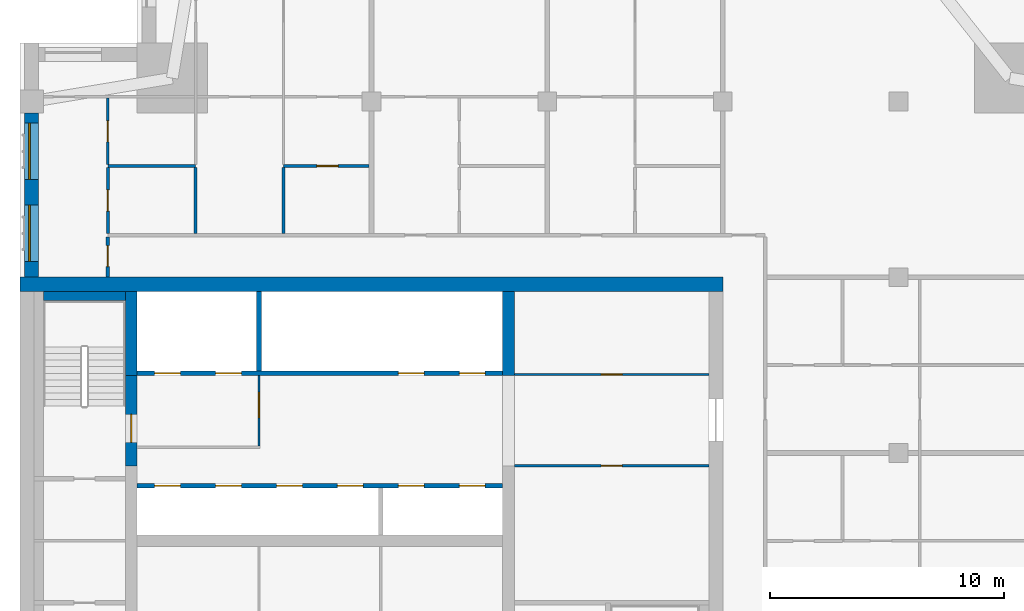
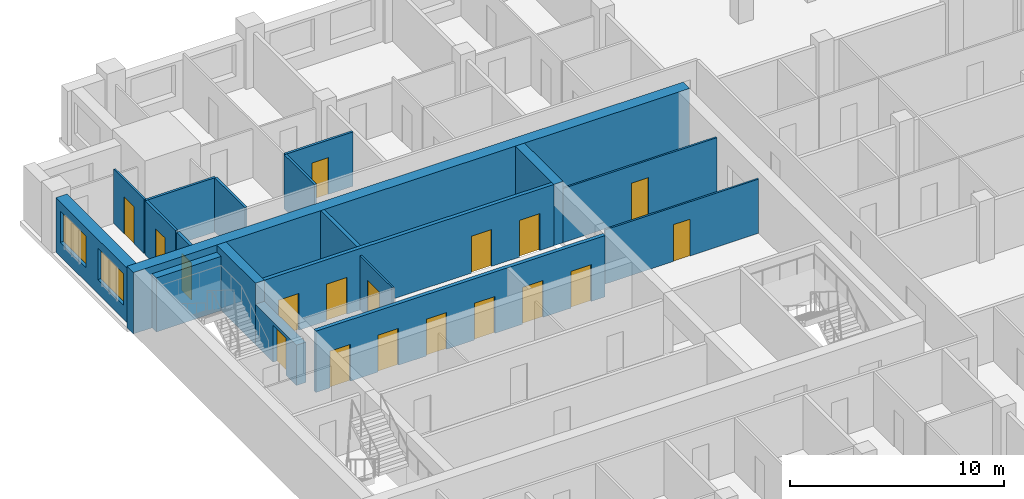
# One storey, part 6 of 11: 19 walls, 18 doors, 2 windows, 20 openings.
"""IFC4 building model written with IfcOpenShell, lengths in metres."""

import ifcopenshell
import ifcopenshell.guid

model = None  # the IFC model being written
_history = None  # IfcOwnerHistory: only IFC2X3 demands one
_inside = {}  # id of a spatial element -> (the spatial element, [elements in it])
_under = {}  # id of a project, library or spatial element -> (it, [spatial elements below it])
_declared = {}  # id of a project -> (the project, [libraries it declares])
_typed = {}  # id of a type object -> (the type object, [elements of that type])
_made_of = {}  # id of a material, layer set ... -> (it, [elements and type objects made of it])


def new_model(schema):
    """Start an empty IFC model of exactly this schema.

    Asked for "IFC4X3", IfcOpenShell would pick the latest addendum, in which some entities
    have other attributes; the version numbers below select the first issue.
    IFC2X3 requires an IfcOwnerHistory on every rooted entity: one is made here for all.
    """
    global model, _history
    if schema == "IFC4X3":
        model = ifcopenshell.file(schema_version=(4, 3, 0, 0))
    else:
        model = ifcopenshell.file(schema=schema)
    _inside.clear()
    _under.clear()
    _declared.clear()
    _typed.clear()
    _made_of.clear()
    _history = None
    if model.schema == "IFC2X3":
        org = make("IfcOrganization", Name="unknown")
        user = make(
            "IfcPersonAndOrganization",
            ThePerson=make("IfcPerson", FamilyName="unknown"),
            TheOrganization=org,
        )
        app = make(
            "IfcApplication",
            ApplicationDeveloper=org,
            Version="unknown",
            ApplicationFullName="unknown",
            ApplicationIdentifier="unknown",
        )
        _history = make(
            "IfcOwnerHistory",
            OwningUser=user,
            OwningApplication=app,
            ChangeAction="ADDED",
            CreationDate=0,
        )
    return model


def make(cls, **values):
    """One entity of the class cls with the attributes given. An attribute that is None is left unset."""
    return model.create_entity(
        cls, **{name: value for name, value in values.items() if value is not None}
    )


def rooted(cls, **values):
    """An entity with a GlobalId (a new one), such as an element, a storey or a relation."""
    return make(cls, GlobalId=ifcopenshell.guid.new(), OwnerHistory=_history, **values)


def si_unit(unit_type, name, prefix=None):
    """IfcSIUnit, for example si_unit("LENGTHUNIT", "METRE", prefix="MILLI")."""
    return make("IfcSIUnit", UnitType=unit_type, Prefix=prefix, Name=name)


def assignment(units):
    """IfcUnitAssignment: the units of a project."""
    return None if units is None else make("IfcUnitAssignment", Units=units)


def point(xyz):
    """IfcCartesianPoint."""
    return None if xyz is None else make("IfcCartesianPoint", Coordinates=xyz)


def direction(xyz):
    """IfcDirection."""
    return None if xyz is None else make("IfcDirection", DirectionRatios=xyz)


def frame(location, z_axis=None, x_axis=None):
    """IfcAxis2Placement3D, a coordinate frame: its origin and axes. An axis left out is left unset."""
    return make(
        "IfcAxis2Placement3D",
        Location=point(location),
        Axis=direction(z_axis),
        RefDirection=direction(x_axis),
    )


def frame_2d(location, x_axis=None):
    """IfcAxis2Placement2D, a coordinate frame in the plane: its origin and x axis."""
    return make(
        "IfcAxis2Placement2D", Location=point(location), RefDirection=direction(x_axis)
    )


def origin():
    """The frame at (0, 0, 0) with its axes left unset."""
    return frame((0.0, 0.0, 0.0))


def place(relative_to, where):
    """IfcLocalPlacement: puts the frame where relative to a parent placement (None: the world)."""
    return make(
        "IfcLocalPlacement", PlacementRelTo=relative_to, RelativePlacement=where
    )


def context(
    kind, dimensions, precision=None, world=None, true_north=None, identifier=None
):
    """IfcGeometricRepresentationContext, for example the 3D "Model" context."""
    return make(
        "IfcGeometricRepresentationContext",
        ContextIdentifier=identifier,
        ContextType=kind,
        CoordinateSpaceDimension=dimensions,
        Precision=precision,
        WorldCoordinateSystem=world,
        TrueNorth=true_north,
    )


def subcontext(parent, identifier, kind, view, scale=None):
    """IfcGeometricRepresentationSubContext, for example "Body" below "Model"."""
    return make(
        "IfcGeometricRepresentationSubContext",
        ContextIdentifier=identifier,
        ContextType=kind,
        ParentContext=parent,
        TargetScale=scale,
        TargetView=view,
    )


def project(units=None, contexts=None):
    """IfcProject with its units and contexts."""
    return rooted(
        "IfcProject",
        Name="project",
        RepresentationContexts=contexts,
        UnitsInContext=assignment(units),
    )


def spatial(cls, under=None, at=None, **own):
    """A site, building, storey or space (cls), placed at a placement, below another one or the project."""
    s = rooted(cls, ObjectPlacement=at, **own)
    if under is not None:
        _under.setdefault(under.id(), (under, []))[1].append(s)
    return s


def profile(cls, at=None, kind="AREA", **sizes):
    """A parametric profile (cls). Its sizes go by their IFC names, for example OverallWidth=200.0."""
    return make(cls, ProfileType=kind, Position=at, **sizes)


def rectangle(**sizes):
    """IfcRectangleProfileDef."""
    return profile("IfcRectangleProfileDef", **sizes)


def extrude(swept, where, along, depth):
    """IfcExtrudedAreaSolid: the profile swept, set in the frame where, extruded along a direction by depth."""
    return make(
        "IfcExtrudedAreaSolid",
        SweptArea=swept,
        Position=where,
        ExtrudedDirection=direction(along),
        Depth=depth,
    )


def shape(context_of_items, identifier, shape_type, items):
    """IfcShapeRepresentation: the items that make up one representation, for example the "Body"."""
    return make(
        "IfcShapeRepresentation",
        ContextOfItems=context_of_items,
        RepresentationIdentifier=identifier,
        RepresentationType=shape_type,
        Items=items,
    )


def material(Name=None, Category=None):
    """IfcMaterial."""
    return make("IfcMaterial", Name=Name, Category=Category)


def layer(
    of_material, thickness, ventilated=None, Name=None, Category=None, Priority=None
):
    """IfcMaterialLayer: one layer of a wall or slab, of a material (None: an air gap)."""
    return make(
        "IfcMaterialLayer",
        Material=of_material,
        LayerThickness=thickness,
        IsVentilated=ventilated,
        Name=Name,
        Category=Category,
        Priority=Priority,
    )


def layer_set(layers, Name=None):
    """IfcMaterialLayerSet."""
    return make("IfcMaterialLayerSet", MaterialLayers=layers, LayerSetName=Name)


def made_of(thing, what):
    """Note that an element or type object is made of a material, layer set ...; save() writes the relation."""
    if what is not None:
        _made_of.setdefault(what.id(), (what, []))[1].append(thing)
    return thing


def type_object(cls, material=None, **own):
    """A type object (cls), such as IfcWallType, which elements share."""
    return made_of(rooted(cls, **own), material)


def element(
    cls,
    number,
    at=None,
    inside=None,
    cuts=None,
    type_object=None,
    material=None,
    context=None,
    identifier="Body",
    shape_type=None,
    held_by="IfcProductDefinitionShape",
    body=None,
    shapes=None,
    **own,
):
    """One element of the class cls, such as IfcWall. Its Tag is "e" and its number.

    at: its placement. inside: the storey or other place that contains it. cuts: it is an
    opening in that element (IfcRelVoidsElement). A single representation is given by context,
    identifier, shape_type and body (its items); several are given by shapes. held_by: the class
    of the entity that holds the representations. save() writes the other relations.
    """
    e = rooted(cls, Tag="e%d" % number, ObjectPlacement=at, **own)
    if body is not None:
        shapes = [shape(context, identifier, shape_type, body)]
    if shapes is not None:
        e.Representation = make(held_by, Representations=shapes)
    if inside is not None:
        _inside.setdefault(inside.id(), (inside, []))[1].append(e)
    if cuts is not None:
        rooted(
            "IfcRelVoidsElement", RelatingBuildingElement=cuts, RelatedOpeningElement=e
        )
    if type_object is not None:
        _typed.setdefault(type_object.id(), (type_object, []))[1].append(e)
    return made_of(e, material)


def fill(opening, filler):
    """IfcRelFillsElement: the door or window that sits in an opening."""
    return rooted(
        "IfcRelFillsElement",
        RelatingOpeningElement=opening,
        RelatedBuildingElement=filler,
    )


def aggregate(whole, parts):
    """IfcRelAggregates: a whole, such as a stair, and the parts it consists of."""
    return rooted("IfcRelAggregates", RelatingObject=whole, RelatedObjects=parts)


def save(model, path):
    """Write the relations noted so far, then the file.

    IfcRelAggregates (storeys below a building ...), IfcRelContainedInSpatialStructure (elements
    in a storey), IfcRelDefinesByType, IfcRelAssociatesMaterial and IfcRelDeclares: one each for
    every whole, place, type object, material and project.
    """
    for whole, parts in _under.values():
        aggregate(whole, parts)
    for where, things in _inside.values():
        rooted(
            "IfcRelContainedInSpatialStructure",
            RelatedElements=things,
            RelatingStructure=where,
        )
    for kind, things in _typed.values():
        rooted("IfcRelDefinesByType", RelatedObjects=things, RelatingType=kind)
    for what, things in _made_of.values():
        rooted("IfcRelAssociatesMaterial", RelatedObjects=things, RelatingMaterial=what)
    for by, libraries in _declared.values():
        rooted("IfcRelDeclares", RelatingContext=by, RelatedDefinitions=libraries)
    model.write(path)


model = new_model("IFC4")

# Units and contexts
model_context = context("Model", 3, precision=1e-05, world=origin(), true_north=direction((0.0, 1.0)))
body_context = subcontext(model_context, "Body", "Model", "MODEL_VIEW")
ifc_project = project(units=[si_unit("LENGTHUNIT", "METRE"), si_unit("AREAUNIT", "SQUARE_METRE"), si_unit("VOLUMEUNIT", "CUBIC_METRE"), si_unit("PLANEANGLEUNIT", "RADIAN"), si_unit("MASSUNIT", "GRAM", prefix="KILO")], contexts=[model_context])

# Site, building, storey
site_placement = place(None, origin())
site = spatial("IfcSite", under=ifc_project, at=site_placement, CompositionType="ELEMENT")
building_placement = place(site_placement, origin())
building = spatial("IfcBuilding", under=site, at=building_placement, Name="Tamorin Gate", CompositionType="ELEMENT")
storey_placement = place(building_placement, frame((0.0, 0.0, 254.699951171875)))
storey = spatial("IfcBuildingStorey", under=building, at=storey_placement, Name="L64", CompositionType="ELEMENT", Elevation=254.699951171875)

# Wall, openings, windows
ifc_material_1 = material(Name="Precast concrete C40/50", Category="concrete")
ifc_layer_1 = layer(ifc_material_1, 0.60009765625)
ifc_layer_set_1 = layer_set([ifc_layer_1], Name="Precast concrete C40/50")
wall_type_1 = type_object("IfcWallType", Name="Board-marked concrete facade panel 600", PredefinedType="SOLIDWALL", material=ifc_layer_set_1)
wall_1_placement = place(storey_placement, frame((30.5, 89.5, 0.0), z_axis=(0.0, 0.0, 1.0), x_axis=(0.0, -1.0, 0.0)))
wall_1 = element("IfcWall", 1, at=wall_1_placement, inside=storey, type_object=wall_type_1, Name="Facade panel", PredefinedType="SOLIDWALL", context=body_context, shape_type="SweptSolid", body=[
    extrude(rectangle(XDim=7.0, YDim=0.60009765625, at=frame_2d((3.5, 0.0))), origin(), (0.0, 0.0, 1.0), 3.10009765625),
])
opening_1_placement = place(wall_1_placement, frame((3.925048828125, 0.0, 0.800048828125)))
opening_1 = element("IfcOpeningElement", 2, at=opening_1_placement, cuts=wall_1, Name="Opening WN1", PredefinedType="OPENING", context=body_context, shape_type="SweptSolid", body=[
    extrude(rectangle(XDim=2.39990234375, YDim=1.800048828125, at=frame_2d((1.199951171875, 0.89990234375))), frame((0.0, 0.31005859375, 0.0), z_axis=(0.0, -1.0, 0.0), x_axis=(1.0, 0.0, 0.0)), (0.0, 0.0, 1.0), 0.6201171875),
])
opening_2_placement = place(wall_1_placement, frame((0.425048828125, 0.0, 0.800048828125)))
opening_2 = element("IfcOpeningElement", 3, at=opening_2_placement, cuts=wall_1, Name="Opening WN1", PredefinedType="OPENING", context=body_context, shape_type="SweptSolid", body=[
    extrude(rectangle(XDim=2.39990234375, YDim=1.800048828125, at=frame_2d((1.199951171875, 0.89990234375))), frame((0.0, 0.31005859375, 0.0), z_axis=(0.0, -1.0, 0.0), x_axis=(1.0, 0.0, 0.0)), (0.0, 0.0, 1.0), 0.6201171875),
])
ifc_material_2 = material(Name="Clear glass in aluminium frame", Category="aluminium")
window_type = type_object("IfcWindowType", Name="Deep-set window 2400x1800", PartitioningType="SINGLE_PANEL", PredefinedType="WINDOW", material=ifc_material_2)
window_1_placement = place(opening_1_placement, origin())
window_1 = element("IfcWindow", 4, at=window_1_placement, inside=storey, type_object=window_type, Name="Deep-set window", OverallHeight=1.800048828125, OverallWidth=2.39990234375, PartitioningType="SINGLE_PANEL", PredefinedType="WINDOW", context=body_context, shape_type="SweptSolid", body=[
    extrude(rectangle(XDim=2.39990234375, YDim=1.800048828125, at=frame_2d((1.199951171875, 0.89990234375))), frame((0.0, -0.070068359375, 0.0), z_axis=(0.0, -1.0, 0.0), x_axis=(1.0, 0.0, 0.0)), (0.0, 0.0, 1.0), 0.06005859375),
])
fill(opening_1, window_1)
window_2_placement = place(opening_2_placement, origin())
window_2 = element("IfcWindow", 5, at=window_2_placement, inside=storey, type_object=window_type, Name="Deep-set window", OverallHeight=1.800048828125, OverallWidth=2.39990234375, PartitioningType="SINGLE_PANEL", PredefinedType="WINDOW", context=body_context, shape_type="SweptSolid", body=[
    extrude(rectangle(XDim=2.39990234375, YDim=1.800048828125, at=frame_2d((1.199951171875, 0.89990234375))), frame((0.0, -0.070068359375, 0.0), z_axis=(0.0, -1.0, 0.0), x_axis=(1.0, 0.0, 0.0)), (0.0, 0.0, 1.0), 0.06005859375),
])
fill(opening_2, window_2)

# Wall, opening, door
ifc_material_3 = material(Name="Gypsum board partition")
ifc_layer_2 = layer(ifc_material_3, 0.14990234375)
ifc_layer_set_2 = layer_set([ifc_layer_2], Name="Corridor wall 150")
wall_type_2 = type_object("IfcWallType", Name="Corridor wall 150", PredefinedType="PARTITIONING", material=ifc_layer_set_2)
wall_2_placement = place(storey_placement, frame((33.75, 82.5, 0.0), z_axis=(0.0, 0.0, 1.0), x_axis=(0.0, 1.0, 0.0)))
wall_2 = element("IfcWall", 6, at=wall_2_placement, inside=storey, type_object=wall_type_2, Name="Corridor wall 150", PredefinedType="PARTITIONING", context=body_context, shape_type="SweptSolid", body=[
    extrude(rectangle(XDim=1.72509765625, YDim=0.14990234375, at=frame_2d((0.862548828125, 0.0))), origin(), (0.0, 0.0, 1.0), 3.10009765625),
])
opening_3_placement = place(wall_2_placement, frame((0.449951171875, 0.0, 0.0)))
opening_3 = element("IfcOpeningElement", 7, at=opening_3_placement, cuts=wall_2, Name="Opening DR6025", PredefinedType="OPENING", context=body_context, shape_type="SweptSolid", body=[
    extrude(rectangle(XDim=0.89990234375, YDim=2.10009765625, at=frame_2d((0.449951171875, 1.050048828125))), frame((0.0, 0.0849609375, 0.0), z_axis=(0.0, -1.0, 0.0), x_axis=(1.0, 0.0, 0.0)), (0.0, 0.0, 1.0), 0.169921875),
])
ifc_material_4 = material(Name="Timber door leaf", Category="wood")
door_type_1 = type_object("IfcDoorType", Name="Door 900 x 2100 FD30S", OperationType="NOTDEFINED", PredefinedType="DOOR", material=ifc_material_4)
door_1_placement = place(opening_3_placement, origin())
door_1 = element("IfcDoor", 8, at=door_1_placement, inside=storey, type_object=door_type_1, Name="Door DR6025", OperationType="SINGLE_SWING_LEFT", OverallHeight=2.10009765625, OverallWidth=0.89990234375, PredefinedType="DOOR", context=body_context, shape_type="SweptSolid", body=[
    extrude(rectangle(XDim=0.89990234375, YDim=2.10009765625, at=frame_2d((0.449951171875, 1.050048828125))), frame((0.0, 0.02490234375, 0.0), z_axis=(0.0, -1.0, 0.0), x_axis=(1.0, 0.0, 0.0)), (0.0, 0.0, 1.0), 0.050048828125),
])
fill(opening_3, door_1)

# Wall, openings, doors
ifc_material_5 = material(Name="Concrete C32/40", Category="concrete")
ifc_layer_3 = layer(ifc_material_5, 0.199951171875)
ifc_layer_set_3 = layer_set([ifc_layer_3], Name="Lift lobby face wall 200 EI 120")
wall_type_3 = type_object("IfcWallType", Name="Lift lobby face wall 200 EI 120", PredefinedType="SOLIDWALL", material=ifc_layer_set_3)
wall_3_placement = place(storey_placement, frame((35.0, 73.60009765625, 0.0), z_axis=(0.0, 0.0, 1.0), x_axis=(1.0, 0.0, 0.0)))
wall_3 = element("IfcWall", 9, at=wall_3_placement, inside=storey, type_object=wall_type_3, Name="Lift lobby face wall", PredefinedType="SOLIDWALL", context=body_context, shape_type="SweptSolid", body=[
    extrude(rectangle(XDim=15.60009765625, YDim=0.199951171875, at=frame_2d((7.800048828125, 0.0))), origin(), (0.0, 0.0, 1.0), 3.5),
])
opening_4_placement = place(wall_3_placement, frame((0.75, 0.0, 0.0)))
opening_4 = element("IfcOpeningElement", 10, at=opening_4_placement, cuts=wall_3, Name="Opening LD11", PredefinedType="OPENING", context=body_context, shape_type="SweptSolid", body=[
    extrude(rectangle(XDim=1.10009765625, YDim=2.10009765625, at=frame_2d((0.550048828125, 1.050048828125))), frame((0.0, 0.10986328125, 0.0), z_axis=(0.0, -1.0, 0.0), x_axis=(1.0, 0.0, 0.0)), (0.0, 0.0, 1.0), 0.219970703125),
])
opening_5_placement = place(wall_3_placement, frame((3.35009765625, 0.0, 0.0)))
opening_5 = element("IfcOpeningElement", 11, at=opening_5_placement, cuts=wall_3, Name="Opening LD12", PredefinedType="OPENING", context=body_context, shape_type="SweptSolid", body=[
    extrude(rectangle(XDim=1.10009765625, YDim=2.10009765625, at=frame_2d((0.550048828125, 1.050048828125))), frame((0.0, 0.10986328125, 0.0), z_axis=(0.0, -1.0, 0.0), x_axis=(1.0, 0.0, 0.0)), (0.0, 0.0, 1.0), 0.219970703125),
])
opening_6_placement = place(wall_3_placement, frame((5.949951171875, 0.0, 0.0)))
opening_6 = element("IfcOpeningElement", 12, at=opening_6_placement, cuts=wall_3, Name="Opening LD13", PredefinedType="OPENING", context=body_context, shape_type="SweptSolid", body=[
    extrude(rectangle(XDim=1.10009765625, YDim=2.10009765625, at=frame_2d((0.550048828125, 1.050048828125))), frame((0.0, 0.10986328125, 0.0), z_axis=(0.0, -1.0, 0.0), x_axis=(1.0, 0.0, 0.0)), (0.0, 0.0, 1.0), 0.219970703125),
])
opening_7_placement = place(wall_3_placement, frame((8.550048828125, 0.0, 0.0)))
opening_7 = element("IfcOpeningElement", 13, at=opening_7_placement, cuts=wall_3, Name="Opening LD14", PredefinedType="OPENING", context=body_context, shape_type="SweptSolid", body=[
    extrude(rectangle(XDim=1.10009765625, YDim=2.10009765625, at=frame_2d((0.550048828125, 1.050048828125))), frame((0.0, 0.10986328125, 0.0), z_axis=(0.0, -1.0, 0.0), x_axis=(1.0, 0.0, 0.0)), (0.0, 0.0, 1.0), 0.219970703125),
])
opening_8_placement = place(wall_3_placement, frame((11.14990234375, 0.0, 0.0)))
opening_8 = element("IfcOpeningElement", 14, at=opening_8_placement, cuts=wall_3, Name="Opening LD15", PredefinedType="OPENING", context=body_context, shape_type="SweptSolid", body=[
    extrude(rectangle(XDim=1.10009765625, YDim=2.10009765625, at=frame_2d((0.550048828125, 1.050048828125))), frame((0.0, 0.10986328125, 0.0), z_axis=(0.0, -1.0, 0.0), x_axis=(1.0, 0.0, 0.0)), (0.0, 0.0, 1.0), 0.219970703125),
])
opening_9_placement = place(wall_3_placement, frame((13.75, 0.0, 0.0)))
opening_9 = element("IfcOpeningElement", 15, at=opening_9_placement, cuts=wall_3, Name="Opening LD16", PredefinedType="OPENING", context=body_context, shape_type="SweptSolid", body=[
    extrude(rectangle(XDim=1.10009765625, YDim=2.10009765625, at=frame_2d((0.550048828125, 1.050048828125))), frame((0.0, 0.10986328125, 0.0), z_axis=(0.0, -1.0, 0.0), x_axis=(1.0, 0.0, 0.0)), (0.0, 0.0, 1.0), 0.219970703125),
])
ifc_material_6 = material(Name="Stainless steel sliding door", Category="steel")
door_type_2 = type_object("IfcDoorType", Name="Lift landing door 1100 x 2100 E 90", OperationType="DOUBLE_DOOR_SLIDING", PredefinedType="DOOR", material=ifc_material_6)
door_2_placement = place(opening_4_placement, origin())
door_2 = element("IfcDoor", 16, at=door_2_placement, inside=storey, type_object=door_type_2, Name="HR1 landing door", OperationType="DOUBLE_DOOR_SLIDING", OverallHeight=2.10009765625, OverallWidth=1.10009765625, PredefinedType="DOOR", context=body_context, shape_type="SweptSolid", body=[
    extrude(rectangle(XDim=1.10009765625, YDim=2.10009765625, at=frame_2d((0.550048828125, 1.050048828125))), frame((0.0, 0.02490234375, 0.0), z_axis=(0.0, -1.0, 0.0), x_axis=(1.0, 0.0, 0.0)), (0.0, 0.0, 1.0), 0.050048828125),
])
fill(opening_4, door_2)
door_3_placement = place(opening_5_placement, origin())
door_3 = element("IfcDoor", 17, at=door_3_placement, inside=storey, type_object=door_type_2, Name="HR2 landing door", OperationType="DOUBLE_DOOR_SLIDING", OverallHeight=2.10009765625, OverallWidth=1.10009765625, PredefinedType="DOOR", context=body_context, shape_type="SweptSolid", body=[
    extrude(rectangle(XDim=1.10009765625, YDim=2.10009765625, at=frame_2d((0.550048828125, 1.050048828125))), frame((0.0, 0.02490234375, 0.0), z_axis=(0.0, -1.0, 0.0), x_axis=(1.0, 0.0, 0.0)), (0.0, 0.0, 1.0), 0.050048828125),
])
fill(opening_5, door_3)
door_4_placement = place(opening_6_placement, origin())
door_4 = element("IfcDoor", 18, at=door_4_placement, inside=storey, type_object=door_type_2, Name="HR3 landing door", OperationType="DOUBLE_DOOR_SLIDING", OverallHeight=2.10009765625, OverallWidth=1.10009765625, PredefinedType="DOOR", context=body_context, shape_type="SweptSolid", body=[
    extrude(rectangle(XDim=1.10009765625, YDim=2.10009765625, at=frame_2d((0.550048828125, 1.050048828125))), frame((0.0, 0.02490234375, 0.0), z_axis=(0.0, -1.0, 0.0), x_axis=(1.0, 0.0, 0.0)), (0.0, 0.0, 1.0), 0.050048828125),
])
fill(opening_6, door_4)
door_5_placement = place(opening_7_placement, origin())
door_5 = element("IfcDoor", 19, at=door_5_placement, inside=storey, type_object=door_type_2, Name="HR4 landing door", OperationType="DOUBLE_DOOR_SLIDING", OverallHeight=2.10009765625, OverallWidth=1.10009765625, PredefinedType="DOOR", context=body_context, shape_type="SweptSolid", body=[
    extrude(rectangle(XDim=1.10009765625, YDim=2.10009765625, at=frame_2d((0.550048828125, 1.050048828125))), frame((0.0, 0.02490234375, 0.0), z_axis=(0.0, -1.0, 0.0), x_axis=(1.0, 0.0, 0.0)), (0.0, 0.0, 1.0), 0.050048828125),
])
fill(opening_7, door_5)
door_6_placement = place(opening_8_placement, origin())
door_6 = element("IfcDoor", 20, at=door_6_placement, inside=storey, type_object=door_type_2, Name="HR5 landing door", OperationType="DOUBLE_DOOR_SLIDING", OverallHeight=2.10009765625, OverallWidth=1.10009765625, PredefinedType="DOOR", context=body_context, shape_type="SweptSolid", body=[
    extrude(rectangle(XDim=1.10009765625, YDim=2.10009765625, at=frame_2d((0.550048828125, 1.050048828125))), frame((0.0, 0.02490234375, 0.0), z_axis=(0.0, -1.0, 0.0), x_axis=(1.0, 0.0, 0.0)), (0.0, 0.0, 1.0), 0.050048828125),
])
fill(opening_8, door_6)
door_7_placement = place(opening_9_placement, origin())
door_7 = element("IfcDoor", 21, at=door_7_placement, inside=storey, type_object=door_type_2, Name="HR6 landing door", OperationType="DOUBLE_DOOR_SLIDING", OverallHeight=2.10009765625, OverallWidth=1.10009765625, PredefinedType="DOOR", context=body_context, shape_type="SweptSolid", body=[
    extrude(rectangle(XDim=1.10009765625, YDim=2.10009765625, at=frame_2d((0.550048828125, 1.050048828125))), frame((0.0, 0.02490234375, 0.0), z_axis=(0.0, -1.0, 0.0), x_axis=(1.0, 0.0, 0.0)), (0.0, 0.0, 1.0), 0.050048828125),
])
fill(opening_9, door_7)

wall_4_placement = place(storey_placement, frame((35.0, 78.39990234375, 0.0), z_axis=(0.0, 0.0, 1.0), x_axis=(1.0, 0.0, 0.0)))
wall_4 = element("IfcWall", 22, at=wall_4_placement, inside=storey, type_object=wall_type_3, Name="Lift lobby face wall", PredefinedType="SOLIDWALL", context=body_context, shape_type="SweptSolid", body=[
    extrude(rectangle(XDim=15.60009765625, YDim=0.199951171875, at=frame_2d((7.800048828125, 0.0))), origin(), (0.0, 0.0, 1.0), 3.5),
])
opening_10_placement = place(wall_4_placement, frame((0.75, 0.0, 0.0)))
opening_10 = element("IfcOpeningElement", 23, at=opening_10_placement, cuts=wall_4, Name="Opening LD17", PredefinedType="OPENING", context=body_context, shape_type="SweptSolid", body=[
    extrude(rectangle(XDim=1.10009765625, YDim=2.10009765625, at=frame_2d((0.550048828125, 1.050048828125))), frame((0.0, 0.10986328125, 0.0), z_axis=(0.0, -1.0, 0.0), x_axis=(1.0, 0.0, 0.0)), (0.0, 0.0, 1.0), 0.219970703125),
])
opening_11_placement = place(wall_4_placement, frame((3.35009765625, 0.0, 0.0)))
opening_11 = element("IfcOpeningElement", 24, at=opening_11_placement, cuts=wall_4, Name="Opening LD18", PredefinedType="OPENING", context=body_context, shape_type="SweptSolid", body=[
    extrude(rectangle(XDim=1.10009765625, YDim=2.10009765625, at=frame_2d((0.550048828125, 1.050048828125))), frame((0.0, 0.10986328125, 0.0), z_axis=(0.0, -1.0, 0.0), x_axis=(1.0, 0.0, 0.0)), (0.0, 0.0, 1.0), 0.219970703125),
])
opening_12_placement = place(wall_4_placement, frame((11.14990234375, 0.0, 0.0)))
opening_12 = element("IfcOpeningElement", 25, at=opening_12_placement, cuts=wall_4, Name="Opening LD21", PredefinedType="OPENING", context=body_context, shape_type="SweptSolid", body=[
    extrude(rectangle(XDim=1.10009765625, YDim=2.10009765625, at=frame_2d((0.550048828125, 1.050048828125))), frame((0.0, 0.10986328125, 0.0), z_axis=(0.0, -1.0, 0.0), x_axis=(1.0, 0.0, 0.0)), (0.0, 0.0, 1.0), 0.219970703125),
])
opening_13_placement = place(wall_4_placement, frame((13.75, 0.0, 0.0)))
opening_13 = element("IfcOpeningElement", 26, at=opening_13_placement, cuts=wall_4, Name="Opening LD22", PredefinedType="OPENING", context=body_context, shape_type="SweptSolid", body=[
    extrude(rectangle(XDim=1.10009765625, YDim=2.10009765625, at=frame_2d((0.550048828125, 1.050048828125))), frame((0.0, 0.10986328125, 0.0), z_axis=(0.0, -1.0, 0.0), x_axis=(1.0, 0.0, 0.0)), (0.0, 0.0, 1.0), 0.219970703125),
])
door_8_placement = place(opening_10_placement, origin())
door_8 = element("IfcDoor", 27, at=door_8_placement, inside=storey, type_object=door_type_2, Name="FF1 landing door", OperationType="DOUBLE_DOOR_SLIDING", OverallHeight=2.10009765625, OverallWidth=1.10009765625, PredefinedType="DOOR", context=body_context, shape_type="SweptSolid", body=[
    extrude(rectangle(XDim=1.10009765625, YDim=2.10009765625, at=frame_2d((0.550048828125, 1.050048828125))), frame((0.0, 0.02490234375, 0.0), z_axis=(0.0, -1.0, 0.0), x_axis=(1.0, 0.0, 0.0)), (0.0, 0.0, 1.0), 0.050048828125),
])
fill(opening_10, door_8)
door_9_placement = place(opening_11_placement, origin())
door_9 = element("IfcDoor", 28, at=door_9_placement, inside=storey, type_object=door_type_2, Name="FF2 landing door", OperationType="DOUBLE_DOOR_SLIDING", OverallHeight=2.10009765625, OverallWidth=1.10009765625, PredefinedType="DOOR", context=body_context, shape_type="SweptSolid", body=[
    extrude(rectangle(XDim=1.10009765625, YDim=2.10009765625, at=frame_2d((0.550048828125, 1.050048828125))), frame((0.0, 0.02490234375, 0.0), z_axis=(0.0, -1.0, 0.0), x_axis=(1.0, 0.0, 0.0)), (0.0, 0.0, 1.0), 0.050048828125),
])
fill(opening_11, door_9)
door_10_placement = place(opening_12_placement, origin())
door_10 = element("IfcDoor", 29, at=door_10_placement, inside=storey, type_object=door_type_2, Name="SV1 landing door", OperationType="DOUBLE_DOOR_SLIDING", OverallHeight=2.10009765625, OverallWidth=1.10009765625, PredefinedType="DOOR", context=body_context, shape_type="SweptSolid", body=[
    extrude(rectangle(XDim=1.10009765625, YDim=2.10009765625, at=frame_2d((0.550048828125, 1.050048828125))), frame((0.0, 0.02490234375, 0.0), z_axis=(0.0, -1.0, 0.0), x_axis=(1.0, 0.0, 0.0)), (0.0, 0.0, 1.0), 0.050048828125),
])
fill(opening_12, door_10)
door_11_placement = place(opening_13_placement, origin())
door_11 = element("IfcDoor", 30, at=door_11_placement, inside=storey, type_object=door_type_2, Name="SV2 landing door", OperationType="DOUBLE_DOOR_SLIDING", OverallHeight=2.10009765625, OverallWidth=1.10009765625, PredefinedType="DOOR", context=body_context, shape_type="SweptSolid", body=[
    extrude(rectangle(XDim=1.10009765625, YDim=2.10009765625, at=frame_2d((0.550048828125, 1.050048828125))), frame((0.0, 0.02490234375, 0.0), z_axis=(0.0, -1.0, 0.0), x_axis=(1.0, 0.0, 0.0)), (0.0, 0.0, 1.0), 0.050048828125),
])
fill(opening_13, door_11)

# Wall
ifc_layer_4 = layer(ifc_material_5, 0.199951171875)
ifc_layer_set_4 = layer_set([ifc_layer_4], Name="Lift shaft wall 200 EI 120")
wall_type_4 = type_object("IfcWallType", Name="Lift shaft wall 200 EI 120", PredefinedType="SOLIDWALL", material=ifc_layer_set_4)
wall_5_placement = place(storey_placement, frame((40.199951171875, 78.5, 0.0), z_axis=(0.0, 0.0, 1.0), x_axis=(0.0, 1.0, 0.0)))
element("IfcWall", 31, at=wall_5_placement, inside=storey, type_object=wall_type_4, Name="Lift shaft wall", PredefinedType="SOLIDWALL", context=body_context, shape_type="SweptSolid", body=[
    extrude(rectangle(XDim=3.39990234375, YDim=0.199951171875, at=frame_2d((1.699951171875, 0.0))), origin(), (0.0, 0.0, 1.0), 3.5),
])

# Wall, opening, door
ifc_material_7 = material(Name="Fire-rated gypsum board partition")
ifc_layer_5 = layer(ifc_material_7, 0.10009765625)
ifc_layer_set_5 = layer_set([ifc_layer_5], Name="Lobby wall 100 EI 60")
wall_type_5 = type_object("IfcWallType", Name="Lobby wall 100 EI 60", PredefinedType="PARTITIONING", material=ifc_layer_set_5)
wall_6_placement = place(storey_placement, frame((40.199951171875, 75.300048828125, 0.0), z_axis=(0.0, 0.0, 1.0), x_axis=(0.0, 1.0, 0.0)))
wall_6 = element("IfcWall", 32, at=wall_6_placement, inside=storey, type_object=wall_type_5, Name="Firefighting lobby wall", PredefinedType="PARTITIONING", context=body_context, shape_type="SweptSolid", body=[
    extrude(rectangle(XDim=3.0, YDim=0.10009765625, at=frame_2d((1.5, 0.0))), origin(), (0.0, 0.0, 1.0), 3.090087890625),
])
opening_14_placement = place(wall_6_placement, frame((1.199951171875, 0.0, 0.0)))
opening_14 = element("IfcOpeningElement", 33, at=opening_14_placement, cuts=wall_6, Name="Opening DF1", PredefinedType="OPENING", context=body_context, shape_type="SweptSolid", body=[
    extrude(rectangle(XDim=1.10009765625, YDim=2.10009765625, at=frame_2d((0.550048828125, 1.050048828125))), frame((0.0, 0.06005859375, 0.0), z_axis=(0.0, -1.0, 0.0), x_axis=(1.0, 0.0, 0.0)), (0.0, 0.0, 1.0), 0.1201171875),
])
ifc_material_8 = material(Name="Steel fire door", Category="steel")
door_type_3 = type_object("IfcDoorType", Name="Firefighting lobby door 1100 x 2100 EI 90", OperationType="SINGLE_SWING_LEFT", PredefinedType="DOOR", material=ifc_material_8)
door_12_placement = place(opening_14_placement, origin())
door_12 = element("IfcDoor", 34, at=door_12_placement, inside=storey, type_object=door_type_3, Name="Firefighting lobby door", OperationType="SINGLE_SWING_LEFT", OverallHeight=2.10009765625, OverallWidth=1.10009765625, PredefinedType="DOOR", context=body_context, shape_type="SweptSolid", body=[
    extrude(rectangle(XDim=1.10009765625, YDim=2.10009765625, at=frame_2d((0.550048828125, 1.050048828125))), frame((0.0, 0.02490234375, 0.0), z_axis=(0.0, -1.0, 0.0), x_axis=(1.0, 0.0, 0.0)), (0.0, 0.0, 1.0), 0.050048828125),
])
fill(opening_14, door_12)

# Walls
ifc_material_9 = material(Name="Concrete C50/60", Category="concrete")
ifc_layer_6 = layer(ifc_material_9, 0.5)
ifc_layer_set_6 = layer_set([ifc_layer_6], Name="RC core internal wall 500 C50/60")
wall_type_6 = type_object("IfcWallType", Name="RC core internal wall 500 C50/60", PredefinedType="SHEAR", material=ifc_layer_set_6)
for number, where, z_axis, x_axis, name in (
    (35, (34.75, 78.300048828125, 0.0), (0.0, 0.0, 1.0), (0.0, 1.0, 0.0), "Core cross wall L64"),
    (36, (50.85009765625, 78.300048828125, 0.0), (0.0, 0.0, 1.0), (0.0, 1.0, 0.0), "Core cross wall L64"),
):
    element("IfcWall", number, at=place(storey_placement, frame(where, z_axis=z_axis, x_axis=x_axis)), inside=storey, type_object=wall_type_6, Name=name, PredefinedType="SHEAR", context=body_context, shape_type="SweptSolid", body=[
        extrude(rectangle(XDim=3.599853515625, YDim=0.5, at=frame_2d((1.7998046875, 0.0))), origin(), (0.0, 0.0, 1.0), 3.5),
    ])
ifc_layer_7 = layer(ifc_material_9, 0.60009765625)
ifc_layer_set_7 = layer_set([ifc_layer_7], Name="RC core wall 600 C50/60")
wall_type_7 = type_object("IfcWallType", Name="RC core wall 600 C50/60", PredefinedType="SHEAR", material=ifc_layer_set_7)
wall_7_placement = place(storey_placement, frame((30.0, 82.199951171875, 0.0), z_axis=(0.0, 0.0, 1.0), x_axis=(1.0, 0.0, 0.0)))
element("IfcWall", 37, at=wall_7_placement, inside=storey, type_object=wall_type_7, Name="Core wall L64", PredefinedType="SHEAR", context=body_context, shape_type="SweptSolid", body=[
    extrude(rectangle(XDim=30.0, YDim=0.60009765625, at=frame_2d((15.0, 0.0))), origin(), (0.0, 0.0, 1.0), 3.5),
])

# Wall, opening, door
ifc_layer_8 = layer(ifc_material_3, 0.10009765625)
ifc_layer_set_8 = layer_set([ifc_layer_8], Name="Room partition 100")
wall_type_8 = type_object("IfcWallType", Name="Room partition 100", PredefinedType="PARTITIONING", material=ifc_layer_set_8)
wall_8_placement = place(storey_placement, frame((33.75, 87.3125, 0.0), z_axis=(0.0, 0.0, 1.0), x_axis=(0.0, 1.0, 0.0)))
wall_8 = element("IfcWall", 38, at=wall_8_placement, inside=storey, type_object=wall_type_8, Name="Room partition 100", PredefinedType="PARTITIONING", context=body_context, shape_type="SweptSolid", body=[
    extrude(rectangle(XDim=2.83740234375, YDim=0.10009765625, at=frame_2d((1.418701171875, 0.0))), origin(), (0.0, 0.0, 1.0), 3.10009765625),
])
opening_15_placement = place(wall_8_placement, frame((0.96240234375, 0.0, 0.0)))
opening_15 = element("IfcOpeningElement", 39, at=opening_15_placement, cuts=wall_8, Name="Opening DR6027", PredefinedType="OPENING", context=body_context, shape_type="SweptSolid", body=[
    extrude(rectangle(XDim=0.89990234375, YDim=2.10009765625, at=frame_2d((0.449951171875, 1.050048828125))), frame((0.0, 0.06005859375, 0.0), z_axis=(0.0, -1.0, 0.0), x_axis=(1.0, 0.0, 0.0)), (0.0, 0.0, 1.0), 0.1201171875),
])
door_type_4 = type_object("IfcDoorType", Name="Door 900 x 2100", OperationType="NOTDEFINED", PredefinedType="DOOR", material=ifc_material_4)
door_13_placement = place(opening_15_placement, origin())
door_13 = element("IfcDoor", 40, at=door_13_placement, inside=storey, type_object=door_type_4, Name="Door DR6027", OperationType="SINGLE_SWING_RIGHT", OverallHeight=2.10009765625, OverallWidth=0.89990234375, PredefinedType="DOOR", context=body_context, shape_type="SweptSolid", body=[
    extrude(rectangle(XDim=0.89990234375, YDim=2.10009765625, at=frame_2d((0.449951171875, 1.050048828125))), frame((0.0, 0.02490234375, 0.0), z_axis=(0.0, -1.0, 0.0), x_axis=(1.0, 0.0, 0.0)), (0.0, 0.0, 1.0), 0.050048828125),
])
fill(opening_15, door_13)

ifc_layer_9 = layer(ifc_material_3, 0.10009765625)
ifc_layer_set_9 = layer_set([ifc_layer_9], Name="Service room partition 100 EI 60")
wall_type_9 = type_object("IfcWallType", Name="Service room partition 100 EI 60", PredefinedType="PARTITIONING", material=ifc_layer_set_9)
wall_9_placement = place(storey_placement, frame((51.10009765625, 74.449951171875, 0.0), z_axis=(0.0, 0.0, 1.0), x_axis=(1.0, 0.0, 0.0)))
wall_9 = element("IfcWall", 41, at=wall_9_placement, inside=storey, type_object=wall_type_9, Name="Service room wall", PredefinedType="PARTITIONING", context=body_context, shape_type="SweptSolid", body=[
    extrude(rectangle(XDim=8.2998046875, YDim=0.10009765625, at=frame_2d((4.14990234375, 0.0))), origin(), (0.0, 0.0, 1.0), 3.090087890625),
])
opening_16_placement = place(wall_9_placement, frame((3.699951171875, 0.0, 0.0)))
opening_16 = element("IfcOpeningElement", 42, at=opening_16_placement, cuts=wall_9, Name="Opening DR1", PredefinedType="OPENING", context=body_context, shape_type="SweptSolid", body=[
    extrude(rectangle(XDim=0.89990234375, YDim=2.10009765625, at=frame_2d((0.449951171875, 1.050048828125))), frame((0.0, 0.06005859375, 0.0), z_axis=(0.0, -1.0, 0.0), x_axis=(1.0, 0.0, 0.0)), (0.0, 0.0, 1.0), 0.1201171875),
])
door_type_5 = type_object("IfcDoorType", Name="Riser access door 900 x 2100 EI 120", OperationType="SINGLE_SWING_LEFT", PredefinedType="DOOR", material=ifc_material_8)
door_14_placement = place(opening_16_placement, origin())
door_14 = element("IfcDoor", 43, at=door_14_placement, inside=storey, type_object=door_type_5, Name="Duct riser door", OperationType="SINGLE_SWING_RIGHT", OverallHeight=2.10009765625, OverallWidth=0.89990234375, PredefinedType="DOOR", context=body_context, shape_type="SweptSolid", body=[
    extrude(rectangle(XDim=0.89990234375, YDim=2.10009765625, at=frame_2d((0.449951171875, 1.050048828125))), frame((0.0, 0.02490234375, 0.0), z_axis=(0.0, -1.0, 0.0), x_axis=(1.0, 0.0, 0.0)), (0.0, 0.0, 1.0), 0.050048828125),
])
fill(opening_16, door_14)

wall_10_placement = place(storey_placement, frame((51.10009765625, 78.35009765625, 0.0), z_axis=(0.0, 0.0, 1.0), x_axis=(1.0, 0.0, 0.0)))
wall_10 = element("IfcWall", 44, at=wall_10_placement, inside=storey, type_object=wall_type_9, Name="Service room wall", PredefinedType="PARTITIONING", context=body_context, shape_type="SweptSolid", body=[
    extrude(rectangle(XDim=8.2998046875, YDim=0.10009765625, at=frame_2d((4.14990234375, 0.0))), origin(), (0.0, 0.0, 1.0), 3.090087890625),
])
opening_17_placement = place(wall_10_placement, frame((3.699951171875, 0.0, 0.0)))
opening_17 = element("IfcOpeningElement", 45, at=opening_17_placement, cuts=wall_10, Name="Opening DK1", PredefinedType="OPENING", context=body_context, shape_type="SweptSolid", body=[
    extrude(rectangle(XDim=0.89990234375, YDim=2.10009765625, at=frame_2d((0.449951171875, 1.050048828125))), frame((0.0, 0.06005859375, 0.0), z_axis=(0.0, -1.0, 0.0), x_axis=(1.0, 0.0, 0.0)), (0.0, 0.0, 1.0), 0.1201171875),
])
ifc_material_10 = material(Name="Timber fire door", Category="wood")
door_type_6 = type_object("IfcDoorType", Name="Service room door 900 x 2100 EI 60", OperationType="SINGLE_SWING_LEFT", PredefinedType="DOOR", material=ifc_material_10)
door_15_placement = place(opening_17_placement, origin())
door_15 = element("IfcDoor", 46, at=door_15_placement, inside=storey, type_object=door_type_6, Name="Door Housekeeping office", OperationType="SINGLE_SWING_RIGHT", OverallHeight=2.10009765625, OverallWidth=0.89990234375, PredefinedType="DOOR", context=body_context, shape_type="SweptSolid", body=[
    extrude(rectangle(XDim=0.89990234375, YDim=2.10009765625, at=frame_2d((0.449951171875, 1.050048828125))), frame((0.0, 0.02490234375, 0.0), z_axis=(0.0, -1.0, 0.0), x_axis=(1.0, 0.0, 0.0)), (0.0, 0.0, 1.0), 0.050048828125),
])
fill(opening_17, door_15)

# Wall
ifc_layer_10 = layer(ifc_material_9, 0.39990234375)
ifc_layer_set_10 = layer_set([ifc_layer_10], Name="Stair lining wall 400 EI 120 C50/60")
wall_type_10 = type_object("IfcWallType", Name="Stair lining wall 400 EI 120 C50/60", PredefinedType="SOLIDWALL", material=ifc_layer_set_10)
wall_11_placement = place(storey_placement, frame((31.0, 81.699951171875, 0.0), z_axis=(0.0, 0.0, 1.0), x_axis=(1.0, 0.0, 0.0)))
element("IfcWall", 47, at=wall_11_placement, inside=storey, type_object=wall_type_10, Name="Stair lining wall", PredefinedType="SOLIDWALL", context=body_context, shape_type="SweptSolid", body=[
    extrude(rectangle(XDim=3.5, YDim=0.39990234375, at=frame_2d((1.75, 0.0))), origin(), (0.0, 0.0, 1.0), 3.090087890625),
])

# Wall, opening, door
ifc_layer_11 = layer(ifc_material_5, 0.5)
ifc_layer_set_11 = layer_set([ifc_layer_11], Name="Stair lobby infill wall 500 EI 120")
wall_type_11 = type_object("IfcWallType", Name="Stair lobby infill wall 500 EI 120", PredefinedType="SOLIDWALL", material=ifc_layer_set_11)
wall_12_placement = place(storey_placement, frame((34.75, 74.449951171875, 0.0), z_axis=(0.0, 0.0, 1.0), x_axis=(0.0, 1.0, 0.0)))
wall_12 = element("IfcWall", 48, at=wall_12_placement, inside=storey, type_object=wall_type_11, Name="Stair lobby infill wall", PredefinedType="SOLIDWALL", context=body_context, shape_type="SweptSolid", body=[
    extrude(rectangle(XDim=3.85009765625, YDim=0.5, at=frame_2d((1.925048828125, 0.0))), origin(), (0.0, 0.0, 1.0), 2.300048828125),
])
opening_18_placement = place(wall_12_placement, frame((1.0, 0.0, 0.0)))
opening_18 = element("IfcOpeningElement", 49, at=opening_18_placement, cuts=wall_12, Name="Opening DS1", PredefinedType="OPENING", context=body_context, shape_type="SweptSolid", body=[
    extrude(rectangle(XDim=1.199951171875, YDim=2.10009765625, at=frame_2d((0.60009765625, 1.050048828125))), frame((0.0, 0.260009765625, 0.0), z_axis=(0.0, -1.0, 0.0), x_axis=(1.0, 0.0, 0.0)), (0.0, 0.0, 1.0), 0.52001953125),
])
door_type_7 = type_object("IfcDoorType", Name="Stair door 1200 x 2100 EI 90", OperationType="SINGLE_SWING_LEFT", PredefinedType="DOOR", material=ifc_material_8)
door_16_placement = place(opening_18_placement, origin())
door_16 = element("IfcDoor", 50, at=door_16_placement, inside=storey, type_object=door_type_7, Name="ST2 door", OperationType="SINGLE_SWING_RIGHT", OverallHeight=2.10009765625, OverallWidth=1.199951171875, PredefinedType="DOOR", context=body_context, shape_type="SweptSolid", body=[
    extrude(rectangle(XDim=1.199951171875, YDim=2.10009765625, at=frame_2d((0.60009765625, 1.050048828125))), frame((0.0, 0.02490234375, 0.0), z_axis=(0.0, -1.0, 0.0), x_axis=(1.0, 0.0, 0.0)), (0.0, 0.0, 1.0), 0.050048828125),
])
fill(opening_18, door_16)

# Wall
ifc_layer_12 = layer(ifc_material_3, 0.125)
ifc_layer_set_12 = layer_set([ifc_layer_12], Name="Wet wall 125")
wall_type_12 = type_object("IfcWallType", Name="Wet wall 125", PredefinedType="PARTITIONING", material=ifc_layer_set_12)
wall_13_placement = place(storey_placement, frame((33.75, 87.25, 0.0), z_axis=(0.0, 0.0, 1.0), x_axis=(1.0, 0.0, 0.0)))
element("IfcWall", 51, at=wall_13_placement, inside=storey, type_object=wall_type_12, Name="Wet wall 125", PredefinedType="PARTITIONING", context=body_context, shape_type="SweptSolid", body=[
    extrude(rectangle(XDim=3.75, YDim=0.125, at=frame_2d((1.875, 0.0))), origin(), (0.0, 0.0, 1.0), 3.10009765625),
])

# Wall, opening, door
wall_14_placement = place(storey_placement, frame((41.25, 87.25, 0.0), z_axis=(0.0, 0.0, 1.0), x_axis=(1.0, 0.0, 0.0)))
wall_14 = element("IfcWall", 52, at=wall_14_placement, inside=storey, type_object=wall_type_12, Name="Wet wall 125", PredefinedType="PARTITIONING", context=body_context, shape_type="SweptSolid", body=[
    extrude(rectangle(XDim=3.64990234375, YDim=0.125, at=frame_2d((1.824951171875, 0.0))), origin(), (0.0, 0.0, 1.0), 3.10009765625),
])
opening_19_placement = place(wall_14_placement, frame((1.425048828125, 0.0, 0.0)))
opening_19 = element("IfcOpeningElement", 53, at=opening_19_placement, cuts=wall_14, Name="Opening DR6031", PredefinedType="OPENING", context=body_context, shape_type="SweptSolid", body=[
    extrude(rectangle(XDim=0.89990234375, YDim=2.10009765625, at=frame_2d((0.449951171875, 1.050048828125))), frame((0.0, 0.072509765625, 0.0), z_axis=(0.0, -1.0, 0.0), x_axis=(1.0, 0.0, 0.0)), (0.0, 0.0, 1.0), 0.14501953125),
])
door_17_placement = place(opening_19_placement, origin())
door_17 = element("IfcDoor", 54, at=door_17_placement, inside=storey, type_object=door_type_4, Name="Door DR6031", OperationType="SINGLE_SWING_RIGHT", OverallHeight=2.10009765625, OverallWidth=0.89990234375, PredefinedType="DOOR", context=body_context, shape_type="SweptSolid", body=[
    extrude(rectangle(XDim=0.89990234375, YDim=2.10009765625, at=frame_2d((0.449951171875, 1.050048828125))), frame((0.0, 0.02490234375, 0.0), z_axis=(0.0, -1.0, 0.0), x_axis=(1.0, 0.0, 0.0)), (0.0, 0.0, 1.0), 0.050048828125),
])
fill(opening_19, door_17)

wall_15_placement = place(storey_placement, frame((33.75, 84.375, 0.0), z_axis=(0.0, 0.0, 1.0), x_axis=(0.0, 1.0, 0.0)))
wall_15 = element("IfcWall", 55, at=wall_15_placement, inside=storey, type_object=wall_type_12, Name="Wet wall 125", PredefinedType="PARTITIONING", context=body_context, shape_type="SweptSolid", body=[
    extrude(rectangle(XDim=2.8125, YDim=0.125, at=frame_2d((1.40625, 0.0))), origin(), (0.0, 0.0, 1.0), 3.10009765625),
])
opening_20_placement = place(wall_15_placement, frame((0.949951171875, 0.0, 0.0)))
opening_20 = element("IfcOpeningElement", 56, at=opening_20_placement, cuts=wall_15, Name="Opening DR6028", PredefinedType="OPENING", context=body_context, shape_type="SweptSolid", body=[
    extrude(rectangle(XDim=0.89990234375, YDim=2.10009765625, at=frame_2d((0.449951171875, 1.050048828125))), frame((0.0, 0.072509765625, 0.0), z_axis=(0.0, -1.0, 0.0), x_axis=(1.0, 0.0, 0.0)), (0.0, 0.0, 1.0), 0.14501953125),
])
door_18_placement = place(opening_20_placement, origin())
door_18 = element("IfcDoor", 57, at=door_18_placement, inside=storey, type_object=door_type_4, Name="Door DR6028", OperationType="SINGLE_SWING_RIGHT", OverallHeight=2.10009765625, OverallWidth=0.89990234375, PredefinedType="DOOR", context=body_context, shape_type="SweptSolid", body=[
    extrude(rectangle(XDim=0.89990234375, YDim=2.10009765625, at=frame_2d((0.449951171875, 1.050048828125))), frame((0.0, 0.02490234375, 0.0), z_axis=(0.0, -1.0, 0.0), x_axis=(1.0, 0.0, 0.0)), (0.0, 0.0, 1.0), 0.050048828125),
])
fill(opening_20, door_18)

# Walls
for number, where, z_axis, x_axis, name in (
    (58, (37.5, 84.375, 0.0), (0.0, 0.0, 1.0), (0.0, 1.0, 0.0), "Wet wall 125"),
    (59, (41.25, 84.375, 0.0), (0.0, 0.0, 1.0), (0.0, 1.0, 0.0), "Wet wall 125"),
):
    element("IfcWall", number, at=place(storey_placement, frame(where, z_axis=z_axis, x_axis=x_axis)), inside=storey, type_object=wall_type_12, Name=name, PredefinedType="PARTITIONING", context=body_context, shape_type="SweptSolid", body=[
        extrude(rectangle(XDim=2.8125, YDim=0.125, at=frame_2d((1.40625, 0.0))), origin(), (0.0, 0.0, 1.0), 3.10009765625),
    ])

save(model, "model.ifc")
